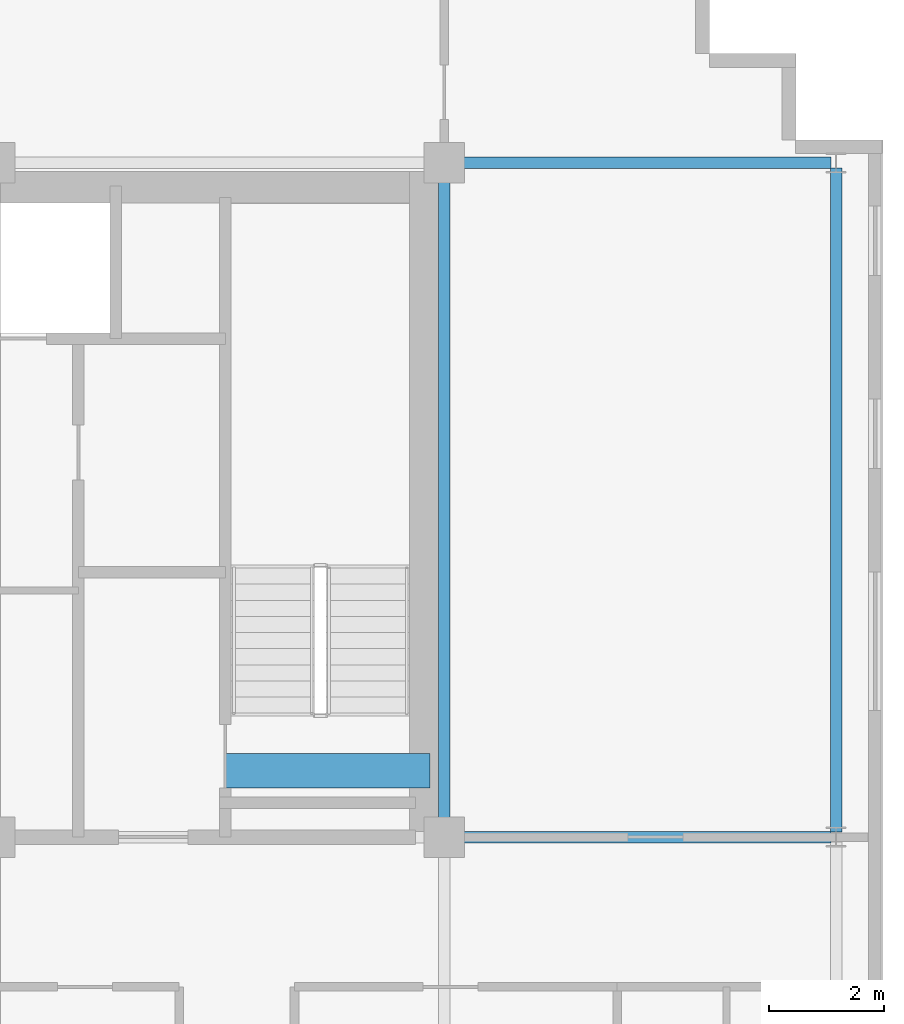
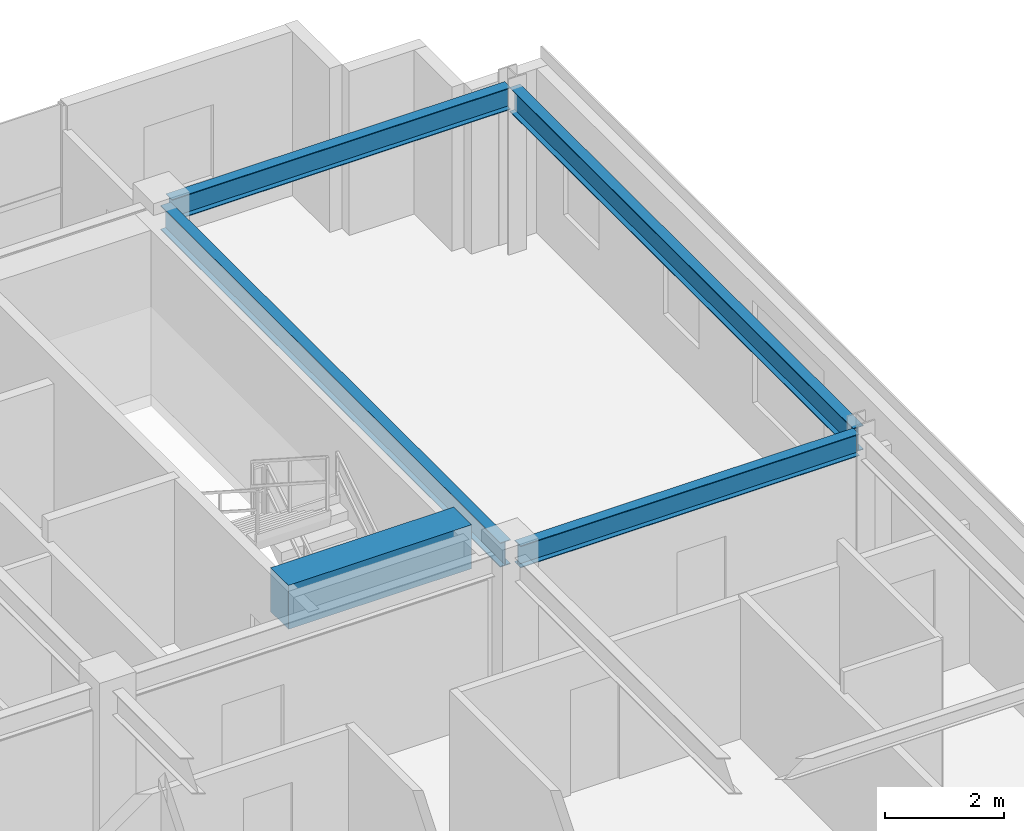
# One storey, part 23 of 34: 5 beams.
"""IFC4 building model written with IfcOpenShell, lengths in metres."""

from ifc_helpers import new_model, si_unit, direction, frame, origin, origin_2d, place, context, subcontext, project, spatial, rectangle, i_section, extrude, source, transform, mapped, material, material_profile, profile_set, type_object, element, save


model = new_model("IFC4")

# Units and contexts
model_context = context("Model", 3, precision=1e-05, world=origin(), true_north=direction((0.0, 1.0)))
body_context = subcontext(model_context, "Body", "Model", "MODEL_VIEW")
ifc_project = project(units=[si_unit("LENGTHUNIT", "METRE"), si_unit("AREAUNIT", "SQUARE_METRE"), si_unit("VOLUMEUNIT", "CUBIC_METRE"), si_unit("PLANEANGLEUNIT", "RADIAN"), si_unit("MASSUNIT", "GRAM", prefix="KILO")], contexts=[model_context])

# Site, building, storey
site_placement = place(None, origin())
site = spatial("IfcSite", under=ifc_project, at=site_placement, CompositionType="ELEMENT")
building_placement = place(site_placement, origin())
building = spatial("IfcBuilding", under=site, at=building_placement, Name="Trelvane Seafront Commons", CompositionType="ELEMENT")
storey_placement = place(building_placement, frame((0.0, 0.0, 197.699951171875)))
storey = spatial("IfcBuildingStorey", under=building, at=storey_placement, Name="L51", CompositionType="ELEMENT", Elevation=197.699951171875)

# Beams
ifc_material_1 = material(Name="Concrete C60/75", Category="concrete")
ifc_material_profile_1 = material_profile(ifc_material_1, rectangle(XDim=0.60009765625, YDim=0.89990234375, at=origin_2d()), Name="RC-600x900")
ifc_profile_set_1 = profile_set([ifc_material_profile_1], Name="Concrete C60/75")
beam_type_1 = type_object("IfcBeamType", Name="STR-LNT-RC600x900", PredefinedType="LINTEL", material=ifc_profile_set_1)
shared_shape_1 = source(origin(), body_context, "Body", "SweptSolid", [
    extrude(rectangle(XDim=0.60009765625, YDim=0.89990234375, at=origin_2d()), origin(), (0.0, 0.0, 1.0), 3.550048828125),
])
beam_1_placement = place(storey_placement, frame((55.0, 34.550048828125, 2.91015625), z_axis=(1.0, 0.0, 0.0), x_axis=(0.0, 1.0, 0.0)))
element("IfcBeam", 1, at=beam_1_placement, inside=storey, type_object=beam_type_1, Name="L51 Core Coupling Lintel Beam CB-68", PredefinedType="LINTEL", context=body_context, shape_type="MappedRepresentation", body=[
    mapped(shared_shape_1, transform((0.0, 0.0, 0.0), x_axis=(1.0, 0.0, 0.0), y_axis=(0.0, 1.0, 0.0), z_axis=(0.0, 0.0, 1.0), scale=1.0)),
])
ifc_material_2 = material(Name="Steel SM355 (S355)", Category="steel")
ifc_material_profile_2 = material_profile(ifc_material_2, i_section(OverallWidth=0.199951171875, OverallDepth=0.5, WebThickness=0.010009765625, FlangeThickness=0.01611328125, at=origin_2d()), Name="H-500x200x10x16")
ifc_profile_set_2 = profile_set([ifc_material_profile_2], Name="Steel SM355 (S355)")
beam_type_2 = type_object("IfcBeamType", Name="STR-BM-H500", PredefinedType="BEAM", material=ifc_profile_set_2)
shared_shape_2 = source(origin(), body_context, "Body", "SweptSolid", [
    extrude(i_section(OverallWidth=0.199951171875, OverallDepth=0.5, WebThickness=0.010009765625, FlangeThickness=0.01611328125, at=origin_2d()), origin(), (0.0, 0.0, 1.0), 11.39990234375),
])
beam_2_placement = place(storey_placement, frame((58.800048828125, 33.550048828125, 3.110107421875), z_axis=(0.0, 1.0, 0.0), x_axis=(-1.0, 0.0, 0.0)))
element("IfcBeam", 2, at=beam_2_placement, inside=storey, type_object=beam_type_2, Name="L51 Primary Girder G-49", PredefinedType="BEAM", context=body_context, shape_type="MappedRepresentation", body=[
    mapped(shared_shape_2, transform((0.0, 0.0, 0.0), x_axis=(1.0, 0.0, 0.0), y_axis=(0.0, 1.0, 0.0), z_axis=(0.0, 0.0, 1.0), scale=1.0)),
])
ifc_material_profile_3 = material_profile(ifc_material_2, i_section(OverallWidth=0.199951171875, OverallDepth=0.449951171875, WebThickness=0.009033203125, FlangeThickness=0.013916015625, at=origin_2d()), Name="H-450x200x9x14")
ifc_profile_set_3 = profile_set([ifc_material_profile_3], Name="Steel SM355 (S355)")
beam_type_3 = type_object("IfcBeamType", Name="STR-SPD-H450", PredefinedType="SPANDREL", material=ifc_profile_set_3)
shared_shape_3 = source(origin(), body_context, "Body", "SweptSolid", [
    extrude(i_section(OverallWidth=0.199951171875, OverallDepth=0.449951171875, WebThickness=0.009033203125, FlangeThickness=0.013916015625, at=origin_2d()), origin(), (0.0, 0.0, 1.0), 6.5625),
])
for number, where, z_axis, x_axis, name in (
    (3, (58.949951171875, 33.39990234375, 3.135009765625), (1.0, 0.0, 0.0), (0.0, 1.0, 0.0), "L51 Primary Girder G-21"),
    (4, (58.949951171875, 45.10009765625, 3.135009765625), (1.0, 0.0, 0.0), (0.0, 1.0, 0.0), "L51 Primary Girder G-28"),
):
    element("IfcBeam", number, at=place(storey_placement, frame(where, z_axis=z_axis, x_axis=x_axis)), inside=storey, type_object=beam_type_3, Name=name, PredefinedType="SPANDREL", context=body_context, shape_type="MappedRepresentation", body=[
        mapped(shared_shape_3, transform((0.0, 0.0, 0.0), x_axis=(1.0, 0.0, 0.0), y_axis=(0.0, 1.0, 0.0), z_axis=(0.0, 0.0, 1.0), scale=1.0)),
    ])
shared_shape_4 = source(origin(), body_context, "Body", "SweptSolid", [
    extrude(i_section(OverallWidth=0.199951171875, OverallDepth=0.5, WebThickness=0.010009765625, FlangeThickness=0.01611328125, at=origin_2d()), origin(), (0.0, 0.0, 1.0), 11.52490234375),
])
beam_3_placement = place(storey_placement, frame((65.60009765625, 33.487548828125, 3.110107421875), z_axis=(0.0, 1.0, 0.0), x_axis=(-1.0, 0.0, 0.0)))
element("IfcBeam", 5, at=beam_3_placement, inside=storey, type_object=beam_type_2, Name="L51 Primary Girder G-52", PredefinedType="BEAM", context=body_context, shape_type="MappedRepresentation", body=[
    mapped(shared_shape_4, transform((0.0, 0.0, 0.0), x_axis=(1.0, 0.0, 0.0), y_axis=(0.0, 1.0, 0.0), z_axis=(0.0, 0.0, 1.0), scale=1.0)),
])

save(model, "model.ifc")
